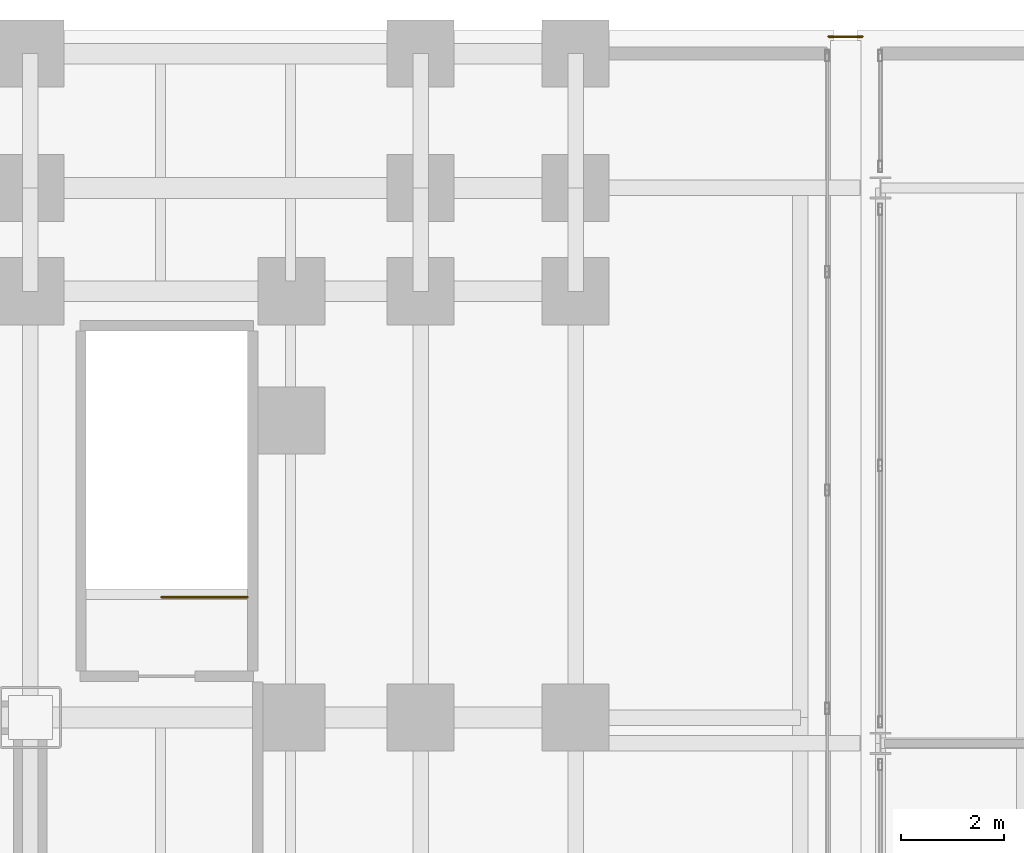
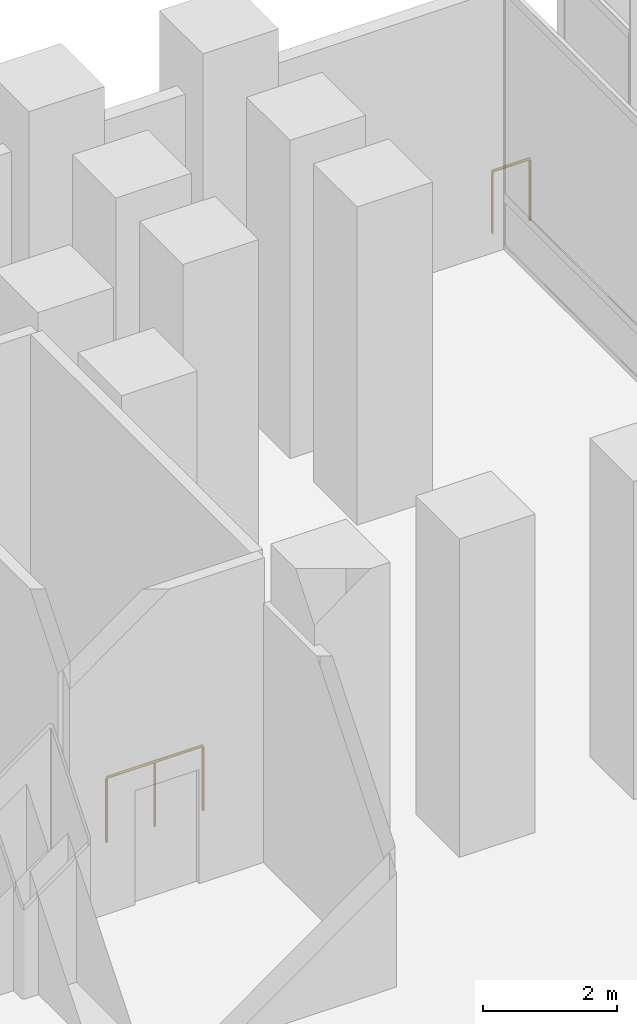
# One storey, part 33 of 36: 2 railings.
"""IFC4 building model written with IfcOpenShell, lengths in metres."""

from ifc_helpers import new_model, si_unit, direction, frame, origin, origin_2d, place, context, subcontext, project, spatial, circle, extrude, material, layer, layer_set, type_object, element, save


model = new_model("IFC4")

# Units and contexts
model_context = context("Model", 3, precision=1e-05, world=origin(), true_north=direction((0.0, 1.0)))
body_context = subcontext(model_context, "Body", "Model", "MODEL_VIEW")
ifc_project = project(units=[si_unit("LENGTHUNIT", "METRE"), si_unit("AREAUNIT", "SQUARE_METRE"), si_unit("VOLUMEUNIT", "CUBIC_METRE"), si_unit("PLANEANGLEUNIT", "RADIAN"), si_unit("MASSUNIT", "GRAM", prefix="KILO")], contexts=[model_context])

# Site, building, storey
site_placement = place(None, origin())
site = spatial("IfcSite", under=ifc_project, at=site_placement, CompositionType="ELEMENT")
building_placement = place(site_placement, origin())
building = spatial("IfcBuilding", under=site, at=building_placement, Name="Noeulbin Bourse Tower", CompositionType="ELEMENT")
storey_placement = place(building_placement, origin())
storey = spatial("IfcBuildingStorey", under=building, at=storey_placement, Name="L01", CompositionType="ELEMENT", Elevation=0.0)

# Railings
ifc_material_1 = material(Name="Galvanised Tubular Steel S355", Category="steel")
ifc_layer_1 = layer(ifc_material_1, 0.06005859375)
ifc_layer_set_1 = layer_set([ifc_layer_1], Name="Galvanised Tubular Steel S355")
railing_type_1 = type_object("IfcRailingType", Name="RLG-RMP-1100", PredefinedType="GUARDRAIL", material=ifc_layer_set_1)
railing_1_placement = place(storey_placement, frame((59.449951171875, 51.47998046875, 0.0)))
element("IfcRailing", 1, at=railing_1_placement, inside=storey, type_object=railing_type_1, Name="Seismic Joint Edge Guard L01-N", PredefinedType="GUARDRAIL", context=body_context, shape_type="SweptSolid", body=[
    extrude(circle(Radius=0.02392578125, at=origin_2d()), frame((0.0, 0.0, 1.1259765625), z_axis=(1.0, 0.0, 0.0), x_axis=(0.0, 1.0, 0.0)), (0.0, 0.0, 1.0), 0.650146484375),
    extrude(circle(Radius=0.02099609375, at=origin_2d()), origin(), (0.0, 0.0, 1.0), 1.101806640625),
    extrude(circle(Radius=0.02099609375, at=origin_2d()), frame((0.650146484375, 0.0, 0.0)), (0.0, 0.0, 1.0), 1.101806640625),
])
ifc_material_2 = material(Name="Painted Tubular Steel S355", Category="steel")
ifc_layer_2 = layer(ifc_material_2, 0.048095703125)
ifc_layer_set_2 = layer_set([ifc_layer_2], Name="Painted Tubular Steel S355")
railing_type_2 = type_object("IfcRailingType", Name="RLG-STR-GRD", PredefinedType="GUARDRAIL", material=ifc_layer_set_2)
railing_2_placement = place(storey_placement, frame((48.199951171875, 40.6298828125, 0.0)))
element("IfcRailing", 2, at=railing_2_placement, inside=storey, type_object=railing_type_2, Name="L01 ST-S3 top well guard 1", PredefinedType="GUARDRAIL", context=body_context, shape_type="SweptSolid", body=[
    extrude(circle(Radius=0.02392578125, at=origin_2d()), frame((0.0, 0.0, 1.17578125), z_axis=(-1.0, 0.0, 0.0), x_axis=(0.0, -1.0, 0.0)), (0.0, 0.0, 1.0), 1.659912109375),
    extrude(circle(Radius=0.02099609375, at=origin_2d()), origin(), (0.0, 0.0, 1.0), 1.15185546875),
    extrude(circle(Radius=0.02099609375, at=origin_2d()), frame((-0.830078125, 0.0, 0.0)), (0.0, 0.0, 1.0), 1.15185546875),
    extrude(circle(Radius=0.02099609375, at=origin_2d()), frame((-1.659912109375, 0.0, 0.0)), (0.0, 0.0, 1.0), 1.15185546875),
])

save(model, "model.ifc")
